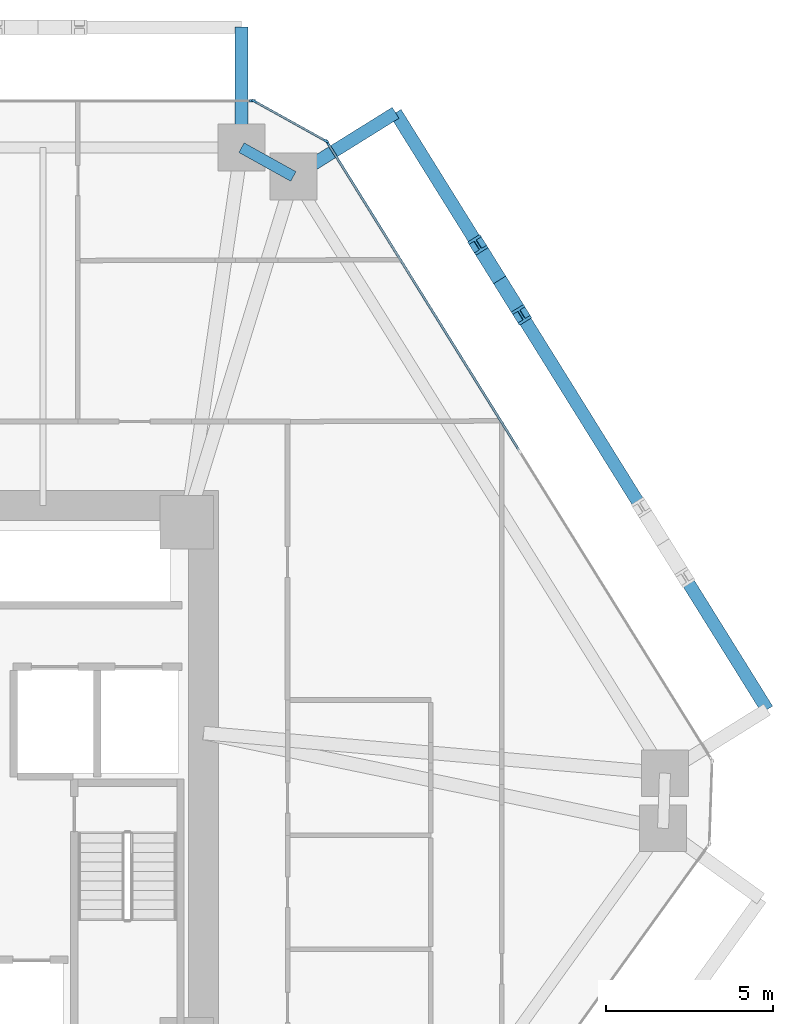
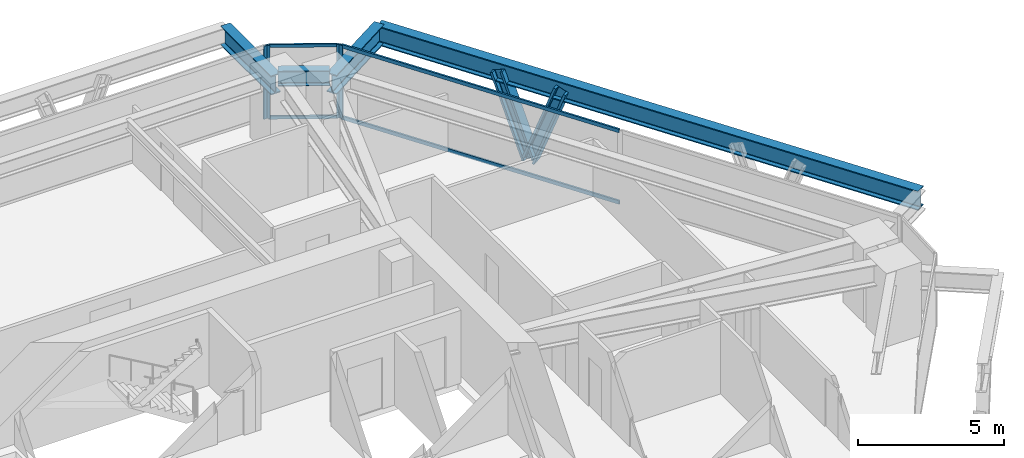
# One storey, part 9 of 15: 10 members, 4 beams, 3 elements without a shape of their own.
"""IFC4 building model written with IfcOpenShell, lengths in metres."""

from ifc_helpers import new_model, si_unit, direction, frame, origin, origin_2d, place, context, subcontext, project, spatial, rectangle, i_section, extrude, source, transform, mapped, material, layer, layer_set, material_profile, profile_set, type_object, type_shapes, element, aggregate, save


model = new_model("IFC4")

# Units and contexts
model_context = context("Model", 3, precision=1e-05, world=origin(), true_north=direction((0.0, 1.0)))
body_context = subcontext(model_context, "Body", "Model", "MODEL_VIEW")
ifc_project = project(units=[si_unit("LENGTHUNIT", "METRE"), si_unit("AREAUNIT", "SQUARE_METRE"), si_unit("VOLUMEUNIT", "CUBIC_METRE"), si_unit("PLANEANGLEUNIT", "RADIAN"), si_unit("MASSUNIT", "GRAM", prefix="KILO")], contexts=[model_context])

# Site, building, storey
site_placement = place(None, origin())
site = spatial("IfcSite", under=ifc_project, at=site_placement, CompositionType="ELEMENT")
building_placement = place(site_placement, origin())
building = spatial("IfcBuilding", under=site, at=building_placement, Name="Durnholm Broadcast Tower", CompositionType="ELEMENT")
storey_placement = place(building_placement, frame((0.0, 0.0, 62.10009765625)))
storey = spatial("IfcBuildingStorey", under=building, at=storey_placement, Name="L15", CompositionType="ELEMENT", Elevation=62.10009765625)

# Beams
ifc_material_1 = material(Name="Steel ASTM A992 Grade 50", Category="steel")
ifc_material_profile_1 = material_profile(ifc_material_1, i_section(OverallWidth=0.3291015625, OverallDepth=0.635009765625, WebThickness=0.017822265625, FlangeThickness=0.031005859375, FilletRadius=0.02783203125, at=origin_2d()), Name="W24X162")
ifc_profile_set_1 = profile_set([ifc_material_profile_1], Name="Steel ASTM A992 Grade 50")
beam_type_1 = type_object("IfcBeamType", Name="STL-SP-W24X162", PredefinedType="SPANDREL", material=ifc_profile_set_1)
shared_shape_1 = source(origin(), body_context, "Body", "SweptSolid", [
    extrude(i_section(OverallWidth=0.3291015625, OverallDepth=0.635009765625, WebThickness=0.017822265625, FlangeThickness=0.031005859375, FilletRadius=0.02783203125, at=origin_2d()), origin(), (0.0, 0.0, 1.0), 1.774658203125),
])
type_shapes(beam_type_1, [shared_shape_1])
beam_1_placement = place(storey_placement, frame((11.43115234375, 19.0, 2.727294921875), z_axis=(0.874248107979, -0.485479397806, 0.0), x_axis=(0.485479397806, 0.874248107979, 0.0)))
element("IfcBeam", 1, at=beam_1_placement, inside=storey, type_object=beam_type_1, Name="L15 perimeter spandrel girder 06", PredefinedType="SPANDREL", context=body_context, shape_type="MappedRepresentation", body=[
    mapped(shared_shape_1, transform((0.0, 0.0, 0.0), x_axis=(1.0, 0.0, 0.0), y_axis=(0.0, 1.0, 0.0), z_axis=(0.0, 0.0, 1.0), scale=1.0)),
])
ifc_material_profile_2 = material_profile(ifc_material_1, i_section(OverallWidth=0.385009765625, OverallDepth=0.802978515625, WebThickness=0.023681640625, FlangeThickness=0.0419921875, FilletRadius=0.032958984375, at=origin_2d()), Name="W30X261")
ifc_profile_set_2 = profile_set([ifc_material_profile_2], Name="Steel ASTM A992 Grade 50")
beam_type_2 = type_object("IfcBeamType", Name="BM-EXO-TIE", PredefinedType="USERDEFINED", material=ifc_profile_set_2)
shared_shape_2 = source(origin(), body_context, "Body", "SweptSolid", [
    extrude(i_section(OverallWidth=0.385009765625, OverallDepth=0.802978515625, WebThickness=0.023681640625, FlangeThickness=0.0419921875, FilletRadius=0.032958984375, at=origin_2d()), origin(), (0.0, 0.0, 1.0), 3.4560546875),
])
for number, where, z_axis, x_axis, name in (
    (2, (13.10498046875, 18.214599609375, 2.30859375), (0.848854443891, 0.528626648105, 0.0), (-0.528626648105, 0.848854443891, 0.0), "L15 exoskeleton stand-off tie bracket F3.2"),
    (3, (11.43115234375, 19.14404296875, 2.30859375), (0.0, 1.0, 0.0), (-1.0, 0.0, 0.0), "L15 exoskeleton stand-off tie bracket F4.1"),
):
    element("IfcBeam", number, at=place(storey_placement, frame(where, z_axis=z_axis, x_axis=x_axis)), inside=storey, type_object=beam_type_2, Name=name, ObjectType="GIRDER", PredefinedType="USERDEFINED", context=body_context, shape_type="MappedRepresentation", body=[
        mapped(shared_shape_2, transform((0.0, 0.0, 0.0), x_axis=(1.0, 0.0, 0.0), y_axis=(0.0, 1.0, 0.0), z_axis=(0.0, 0.0, 1.0), scale=1.0)),
    ])
shared_shape_3 = source(origin(), body_context, "Body", "SweptSolid", [
    extrude(i_section(OverallWidth=0.385009765625, OverallDepth=0.802978515625, WebThickness=0.023681640625, FlangeThickness=0.0419921875, FilletRadius=0.032958984375, at=origin_2d()), origin(), (0.0, 0.0, 1.0), 21.0146484375),
])
type_shapes(beam_type_2, [shared_shape_2, shared_shape_3])
beam_2_placement = place(storey_placement, frame((27.146728515625, 2.20263671875, 2.30859375), z_axis=(-0.528590518575, 0.848876942597, 0.0), x_axis=(-0.848876942597, -0.528590518575, 0.0)))
element("IfcBeam", 4, at=beam_2_placement, inside=storey, type_object=beam_type_2, Name="L15 exoskeleton collector spandrel F3", PredefinedType="SPANDREL", context=body_context, shape_type="MappedRepresentation", body=[
    mapped(shared_shape_3, transform((0.0, 0.0, 0.0), x_axis=(1.0, 0.0, 0.0), y_axis=(0.0, 1.0, 0.0), z_axis=(0.0, 0.0, 1.0), scale=1.0)),
])

# Members
ifc_material_2 = material(Name="Steel ASTM A913 Grade 65", Category="steel")
ifc_material_profile_3 = material_profile(ifc_material_2, i_section(OverallWidth=0.43212890625, OverallDepth=0.497802734375, WebThickness=0.0556640625, FlangeThickness=0.0888671875, FilletRadius=0.030517578125, at=origin_2d()), Name="W14X500")
ifc_profile_set_3 = profile_set([ifc_material_profile_3], Name="Steel ASTM A913 Grade 65")
member_type_1 = type_object("IfcMemberType", Name="STL-DG-W14X500", PredefinedType="BRACE", material=ifc_profile_set_3)
shared_shape_4 = source(origin(), body_context, "Body", "SweptSolid", [
    extrude(i_section(OverallWidth=0.43212890625, OverallDepth=0.497802734375, WebThickness=0.0556640625, FlangeThickness=0.0888671875, FilletRadius=0.030517578125, at=origin_2d()), origin(), (0.0, 0.0, 1.0), 3.523193359375),
])
type_shapes(member_type_1, [shared_shape_4])
for number, where, z_axis, x_axis, name in (
    (5, (19.14892578125, 15.04638671875, -0.991455078125), (0.185090383068, -0.297281072018, 0.936677913861), (0.848908635391, 0.528539618911, 0.0), "L15 stand-off diagrid brace F3.D2.1"),
    (6, (19.14892578125, 15.04638671875, -0.991455078125), (-0.185090383068, 0.297281072018, 0.936677913861), (-0.848908635391, -0.528539618911, 0.0), "L15 stand-off diagrid brace F3.D2.2"),
):
    element("IfcMember", number, at=place(storey_placement, frame(where, z_axis=z_axis, x_axis=x_axis)), inside=storey, type_object=member_type_1, Name=name, PredefinedType="BRACE", context=body_context, shape_type="MappedRepresentation", body=[
        mapped(shared_shape_4, transform((0.0, 0.0, 0.0), x_axis=(1.0, 0.0, 0.0), y_axis=(0.0, 1.0, 0.0), z_axis=(0.0, 0.0, 1.0), scale=1.0)),
    ])

# Curtain wall, members
ifc_material_3 = material(Name="Aluminium and Solar Control IGU", Category="aluminium")
ifc_layer_1 = layer(ifc_material_3, 0.1650390625)
ifc_layer_set_1 = layer_set([ifc_layer_1], Name="Aluminium and Solar Control IGU")
curtain_wall_type_1 = type_object("IfcCurtainWallType", Name="CW-SYS-5", PredefinedType="NOTDEFINED", material=ifc_layer_set_1)
curtain_wall_1_placement = place(storey_placement, origin())
curtain_wall_1 = element("IfcCurtainWall", 7, at=curtain_wall_1_placement, inside=storey, type_object=curtain_wall_type_1, Name="L15 curtain wall CW-CORNER CW-L15-CRN-05", PredefinedType="NOTDEFINED")
ifc_material_4 = material(Name="Aluminium 6063-T6", Category="aluminium")
ifc_material_profile_4 = material_profile(ifc_material_4, rectangle(XDim=0.06494140625, YDim=0.1298828125, at=origin_2d()), Name="CWT65X130")
ifc_profile_set_4 = profile_set([ifc_material_profile_4], Name="Aluminium 6063-T6")
member_type_2 = type_object("IfcMemberType", Name="CW-SYS-5-TRN", PredefinedType="USERDEFINED", material=ifc_profile_set_4)
shared_shape_5 = source(origin(), body_context, "Body", "SweptSolid", [
    extrude(rectangle(XDim=0.06494140625, YDim=0.1298828125, at=origin_2d()), origin(), (0.0, 0.0, 1.0), 2.3701171875),
])
type_shapes(member_type_2, [shared_shape_5])
member_1_placement = place(storey_placement, frame((11.8505859375, 20.368408203125, 0.032470703125), z_axis=(0.874244723151, -0.485485493132, 0.0), x_axis=(0.485485493132, 0.874244723151, 0.0)))
member_1 = element("IfcMember", 8, at=member_1_placement, type_object=member_type_2, Name="CW-CORNER transom 1.1", ObjectType="TRANSOM", PredefinedType="USERDEFINED", context=body_context, shape_type="MappedRepresentation", body=[
    mapped(shared_shape_5, transform((0.0, 0.0, 0.0), x_axis=(1.0, 0.0, 0.0), y_axis=(0.0, 1.0, 0.0), z_axis=(0.0, 0.0, 1.0), scale=1.0)),
])
member_2_placement = place(storey_placement, frame((11.8505859375, 20.368408203125, 3.02734375), z_axis=(0.874244723151, -0.485485493132, 0.0), x_axis=(0.485485493132, 0.874244723151, 0.0)))
member_2 = element("IfcMember", 9, at=member_2_placement, type_object=member_type_2, Name="CW-CORNER transom 1.2", ObjectType="TRANSOM", PredefinedType="USERDEFINED", context=body_context, shape_type="MappedRepresentation", body=[
    mapped(shared_shape_5, transform((0.0, 0.0, 0.0), x_axis=(1.0, 0.0, 0.0), y_axis=(0.0, 1.0, 0.0), z_axis=(0.0, 0.0, 1.0), scale=1.0)),
])

ifc_layer_2 = layer(ifc_material_3, 0.18994140625)
ifc_layer_set_2 = layer_set([ifc_layer_2], Name="Aluminium and Solar Control IGU")
curtain_wall_type_2 = type_object("IfcCurtainWallType", Name="CW-SYS-3", PredefinedType="NOTDEFINED", material=ifc_layer_set_2)
curtain_wall_2_placement = place(storey_placement, origin())
curtain_wall_2 = element("IfcCurtainWall", 10, at=curtain_wall_2_placement, inside=storey, type_object=curtain_wall_type_2, Name="L15 curtain wall CW-Z12-VIS CW-L15-F06", PredefinedType="NOTDEFINED")
ifc_material_profile_5 = material_profile(ifc_material_4, rectangle(XDim=0.070068359375, YDim=0.14990234375, at=origin_2d()), Name="CWT70X150")
ifc_profile_set_5 = profile_set([ifc_material_profile_5], Name="Aluminium 6063-T6")
member_type_3 = type_object("IfcMemberType", Name="CW-SYS-3-TRN", PredefinedType="USERDEFINED", material=ifc_profile_set_5)
shared_shape_6 = source(origin(), body_context, "Body", "SweptSolid", [
    extrude(rectangle(XDim=0.070068359375, YDim=0.14990234375, at=origin_2d()), origin(), (0.0, 0.0, 1.0), 10.796630859375),
])
type_shapes(member_type_3, [shared_shape_6])
member_3_placement = place(storey_placement, frame((14.016357421875, 19.126953125, 0.034912109375), z_axis=(0.528591657678, -0.848876233283, 0.0), x_axis=(0.848876233283, 0.528591657678, 0.0)))
member_3 = element("IfcMember", 11, at=member_3_placement, type_object=member_type_3, Name="CW-Z12-VIS transom 1.1", ObjectType="TRANSOM", PredefinedType="USERDEFINED", context=body_context, shape_type="MappedRepresentation", body=[
    mapped(shared_shape_6, transform((0.0, 0.0, 0.0), x_axis=(1.0, 0.0, 0.0), y_axis=(0.0, 1.0, 0.0), z_axis=(0.0, 0.0, 1.0), scale=1.0)),
])
member_4_placement = place(storey_placement, frame((14.016357421875, 19.126953125, 3.02490234375), z_axis=(0.528591657678, -0.848876233283, 0.0), x_axis=(0.848876233283, 0.528591657678, 0.0)))
member_4 = element("IfcMember", 12, at=member_4_placement, type_object=member_type_3, Name="CW-Z12-VIS transom 1.2", ObjectType="TRANSOM", PredefinedType="USERDEFINED", context=body_context, shape_type="MappedRepresentation", body=[
    mapped(shared_shape_6, transform((0.0, 0.0, 0.0), x_axis=(1.0, 0.0, 0.0), y_axis=(0.0, 1.0, 0.0), z_axis=(0.0, 0.0, 1.0), scale=1.0)),
])

# Member
ifc_material_profile_6 = material_profile(ifc_material_4, rectangle(XDim=0.06494140625, YDim=0.1650390625, at=origin_2d()), Name="CWM65X165")
ifc_profile_set_6 = profile_set([ifc_material_profile_6], Name="Aluminium 6063-T6")
member_type_4 = type_object("IfcMemberType", Name="CW-SYS-5-MUL", PredefinedType="MULLION", material=ifc_profile_set_6)
shared_shape_7 = source(origin(), body_context, "Body", "SweptSolid", [
    extrude(rectangle(XDim=0.06494140625, YDim=0.1650390625, at=origin_2d()), origin(), (0.0, 0.0, 1.0), 3.059814453125),
])
type_shapes(member_type_4, [shared_shape_7])
member_5_placement = place(storey_placement, frame((11.822265625, 20.38427734375, 0.0), z_axis=(0.0, 0.0, 1.0), x_axis=(0.485483299359, 0.874245941394, 0.0)))
member_5 = element("IfcMember", 13, at=member_5_placement, type_object=member_type_4, Name="CW-CORNER mullion 1", PredefinedType="MULLION", context=body_context, shape_type="MappedRepresentation", body=[
    mapped(shared_shape_7, transform((0.0, 0.0, 0.0), x_axis=(1.0, 0.0, 0.0), y_axis=(0.0, 1.0, 0.0), z_axis=(0.0, 0.0, 1.0), scale=1.0)),
])

member_6_placement = place(storey_placement, frame((13.950927734375, 19.2021484375, 0.0), z_axis=(0.0, 0.0, 1.0), x_axis=(0.485483299359, 0.874245941394, 0.0)))
member_6 = element("IfcMember", 14, at=member_6_placement, type_object=member_type_4, Name="CW-CORNER mullion 2", PredefinedType="MULLION", context=body_context, shape_type="MappedRepresentation", body=[
    mapped(shared_shape_7, transform((0.0, 0.0, 0.0), x_axis=(1.0, 0.0, 0.0), y_axis=(0.0, 1.0, 0.0), z_axis=(0.0, 0.0, 1.0), scale=1.0)),
])

aggregate(curtain_wall_1, [member_5, member_6, member_1, member_2])

# Curtain wall, member
curtain_wall_3_placement = place(storey_placement, origin())
curtain_wall_3 = element("IfcCurtainWall", 15, at=curtain_wall_3_placement, inside=storey, type_object=curtain_wall_type_2, Name="L15 curtain wall CW-Z12-VIS CW-L15-F04", PredefinedType="NOTDEFINED")
ifc_material_profile_7 = material_profile(ifc_material_4, rectangle(XDim=0.070068359375, YDim=0.18994140625, at=origin_2d()), Name="CWM70X190")
ifc_profile_set_7 = profile_set([ifc_material_profile_7], Name="Aluminium 6063-T6")
member_type_5 = type_object("IfcMemberType", Name="CW-SYS-3-MUL", PredefinedType="MULLION", material=ifc_profile_set_7)
shared_shape_8 = source(origin(), body_context, "Body", "SweptSolid", [
    extrude(rectangle(XDim=0.070068359375, YDim=0.18994140625, at=origin_2d()), origin(), (0.0, 0.0, 1.0), 3.059814453125),
])
type_shapes(member_type_5, [shared_shape_8])
member_7_placement = place(storey_placement, frame((11.7587890625, 20.39990234375, 0.0), z_axis=(0.0, 0.0, 1.0), x_axis=(0.0, 1.0, 0.0)))
member_7 = element("IfcMember", 16, at=member_7_placement, type_object=member_type_5, Name="CW-Z12-VIS mullion 3", PredefinedType="MULLION", context=body_context, shape_type="MappedRepresentation", body=[
    mapped(shared_shape_8, transform((0.0, 0.0, 0.0), x_axis=(1.0, 0.0, 0.0), y_axis=(0.0, 1.0, 0.0), z_axis=(0.0, 0.0, 1.0), scale=1.0)),
])
aggregate(curtain_wall_3, [member_7])

# Member
member_8_placement = place(storey_placement, frame((13.997802734375, 19.156494140625, 0.0), z_axis=(0.0, 0.0, 1.0), x_axis=(0.848875785503, 0.528592376777, 0.0)))
member_8 = element("IfcMember", 17, at=member_8_placement, type_object=member_type_5, Name="CW-Z12-VIS mullion 1", PredefinedType="MULLION", context=body_context, shape_type="MappedRepresentation", body=[
    mapped(shared_shape_8, transform((0.0, 0.0, 0.0), x_axis=(1.0, 0.0, 0.0), y_axis=(0.0, 1.0, 0.0), z_axis=(0.0, 0.0, 1.0), scale=1.0)),
])

aggregate(curtain_wall_2, [member_8, member_3, member_4])

save(model, "model.ifc")
